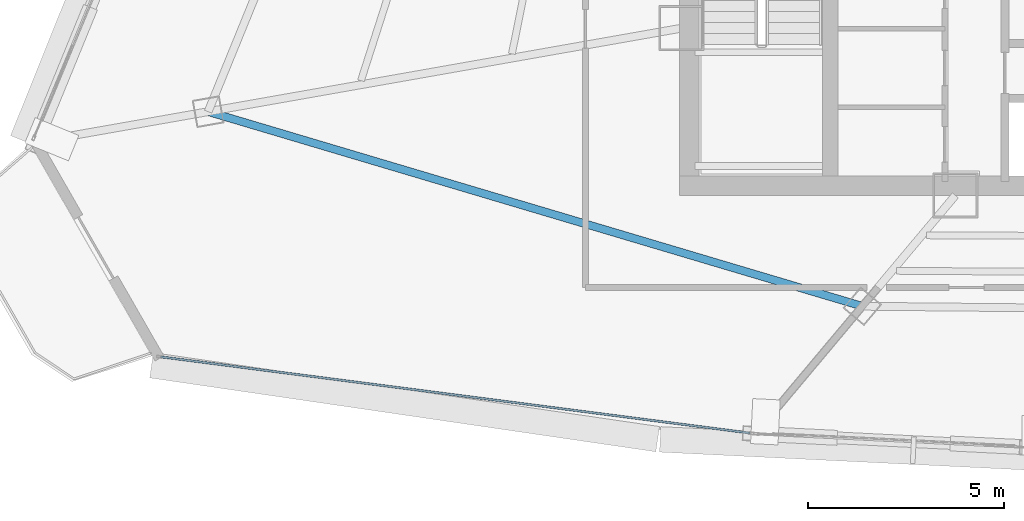
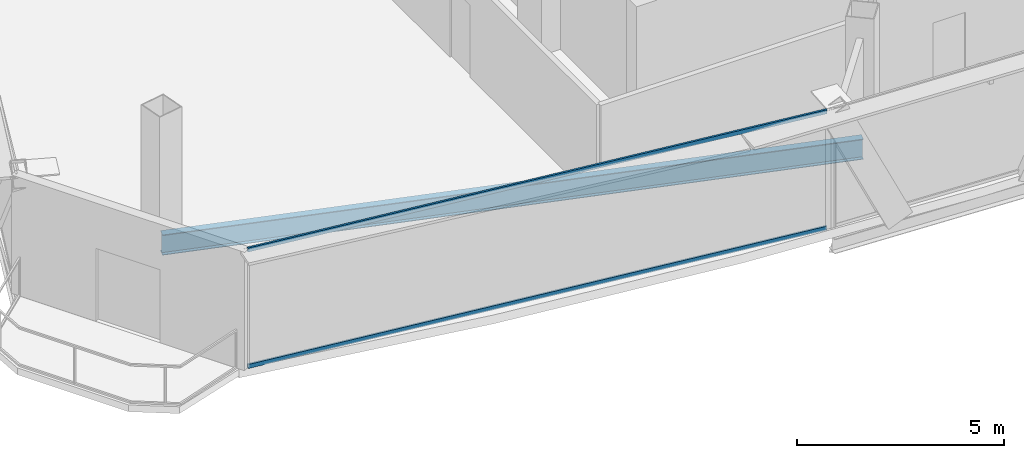
# One storey, part 3 of 34: 2 members, 1 beam, 1 element without a shape of its own.
"""IFC4 building model written with IfcOpenShell, lengths in metres."""

from ifc_helpers import new_model, si_unit, direction, frame, origin, origin_2d, place, context, subcontext, project, spatial, hollow_rectangle, i_section, extrude, source, transform, mapped, material, layer, layer_set, material_profile, profile_set, type_object, element, aggregate, save


model = new_model("IFC4")

# Units and contexts
model_context = context("Model", 3, precision=1e-05, world=origin(), true_north=direction((0.0, 1.0)))
body_context = subcontext(model_context, "Body", "Model", "MODEL_VIEW")
ifc_project = project(units=[si_unit("LENGTHUNIT", "METRE"), si_unit("AREAUNIT", "SQUARE_METRE"), si_unit("VOLUMEUNIT", "CUBIC_METRE"), si_unit("PLANEANGLEUNIT", "RADIAN"), si_unit("MASSUNIT", "GRAM", prefix="KILO"), si_unit("THERMODYNAMICTEMPERATUREUNIT", "KELVIN"), si_unit("POWERUNIT", "WATT")], contexts=[model_context])

# Site, building, storey
site_placement = place(None, origin())
site = spatial("IfcSite", under=ifc_project, at=site_placement, CompositionType="ELEMENT")
building_placement = place(site_placement, origin())
building = spatial("IfcBuilding", under=site, at=building_placement, Name="Yunzhuo Pagoda Commons", CompositionType="ELEMENT")
storey_placement = place(building_placement, frame((0.0, 0.0, 333.010009765625)))
storey = spatial("IfcBuildingStorey", under=building, at=storey_placement, Name="L83", CompositionType="ELEMENT", Elevation=333.010009765625)

# Beam
ifc_material_1 = material(Name="Structural steel Q355B", Category="steel")
ifc_material_profile_1 = material_profile(ifc_material_1, i_section(OverallWidth=0.199951171875, OverallDepth=0.60009765625, WebThickness=0.010986328125, FlangeThickness=0.01708984375, at=origin_2d()), Name="Structural steel Q355B")
ifc_profile_set_1 = profile_set([ifc_material_profile_1], Name="Structural steel Q355B")
beam_type = type_object("IfcBeamType", Name="B-RG3 Beam HN 600x200x11x17", PredefinedType="BEAM", material=ifc_profile_set_1)
shared_shape_1 = source(origin(), body_context, "Body", "SweptSolid", [
    extrude(i_section(OverallWidth=0.199951171875, OverallDepth=0.60009765625, WebThickness=0.010986328125, FlangeThickness=0.01708984375, at=origin_2d()), origin(), (0.0, 0.0, 1.0), 17.407470703125),
])
beam_placement = place(storey_placement, frame((23.52978515625, 29.38525390625, -0.56005859375), z_axis=(0.958484984609, -0.285143006717, 0.0), x_axis=(0.285143006717, 0.958484984609, 0.0)))
element("IfcBeam", 1, at=beam_placement, inside=storey, type_object=beam_type, Name="L83 column-ring beam 12", PredefinedType="BEAM", context=body_context, shape_type="MappedRepresentation", body=[
    mapped(shared_shape_1, transform((0.0, 0.0, 0.0), scale=1.0)),
])

# Curtain wall, members
ifc_material_2 = material(Name="Anodized aluminium 6063-T6", Category="aluminium")
ifc_layer = layer(ifc_material_2, 0.139892578125)
ifc_layer_set = layer_set([ifc_layer], Name="Anodized aluminium 6063-T6")
curtain_wall_type = type_object("IfcCurtainWallType", Name="CW-HI High-Zone Ribbon Curtain Wall", PredefinedType="NOTDEFINED", material=ifc_layer_set)
curtain_wall_placement = place(storey_placement, origin())
curtain_wall = element("IfcCurtainWall", 2, at=curtain_wall_placement, inside=storey, type_object=curtain_wall_type, Name="L83 curtain wall CW-L83-F1B1", PredefinedType="NOTDEFINED")
ifc_material_profile_2 = material_profile(ifc_material_2, hollow_rectangle(XDim=0.054931640625, YDim=0.1201171875, WallThickness=0.00341796875, at=origin_2d()), Name="Anodized aluminium 6063-T6")
ifc_profile_set_2 = profile_set([ifc_material_profile_2], Name="Anodized aluminium 6063-T6")
member_type = type_object("IfcMemberType", Name="CW-HI-T Transom RHS 120x55x3.5", PredefinedType="USERDEFINED", material=ifc_profile_set_2)
shared_shape_2 = source(origin(), body_context, "Body", "SweptSolid", [
    extrude(hollow_rectangle(XDim=0.054931640625, YDim=0.1201171875, WallThickness=0.00341796875, at=origin_2d()), origin(), (0.0, 0.0, 1.0), 15.1572265625),
])
member_1_placement = place(storey_placement, frame((22.31982421875, 23.13134765625, 0.027587890625), z_axis=(0.991736202571, -0.128293821011, 0.0), x_axis=(0.128293821011, 0.991736202571, 0.0)))
member_1 = element("IfcMember", 3, at=member_1_placement, type_object=member_type, Name="CW transom 1.1", ObjectType="TRANSOM", PredefinedType="USERDEFINED", context=body_context, shape_type="MappedRepresentation", body=[
    mapped(shared_shape_2, transform((0.0, 0.0, 0.0), scale=1.0)),
])
member_2_placement = place(storey_placement, frame((22.31982421875, 23.13134765625, 3.46240234375), z_axis=(0.991736202571, -0.128293821011, 0.0), x_axis=(0.128293821011, 0.991736202571, 0.0)))
member_2 = element("IfcMember", 4, at=member_2_placement, type_object=member_type, Name="CW transom 1.2", ObjectType="TRANSOM", PredefinedType="USERDEFINED", context=body_context, shape_type="MappedRepresentation", body=[
    mapped(shared_shape_2, transform((0.0, 0.0, 0.0), scale=1.0)),
])
aggregate(curtain_wall, [member_1, member_2])

save(model, "model.ifc")
